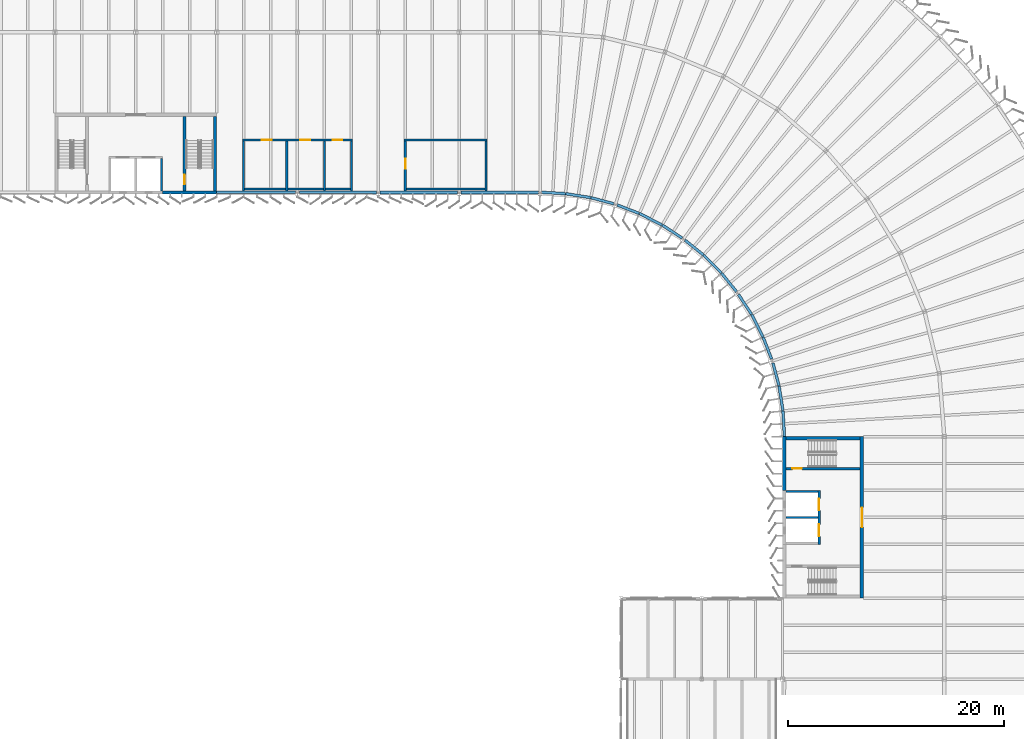
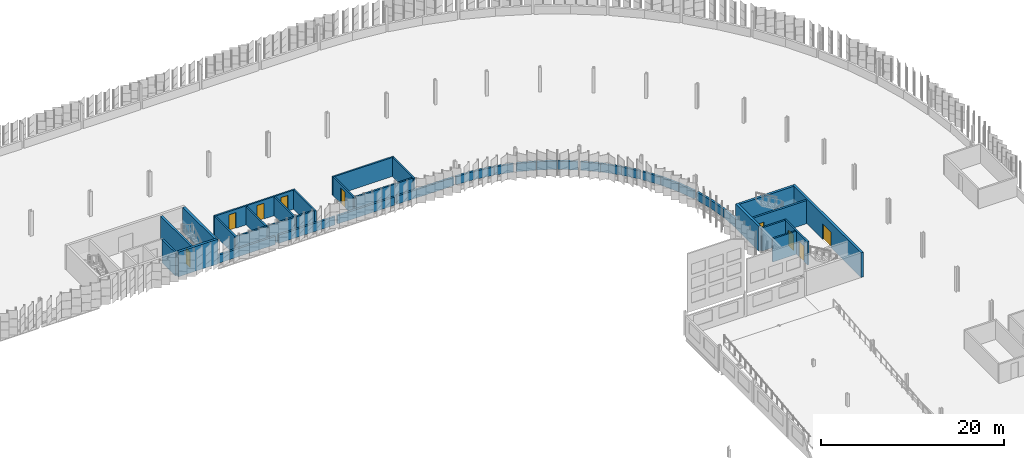
# One storey, part 63 of 199: 40 walls, 9 doors, 9 openings.
"""IFC4 building model written with IfcOpenShell, lengths in metres."""

from ifc_helpers import new_model, si_unit, direction, frame, frame_2d, origin, place, context, subcontext, project, spatial, rectangle, extrude, material, layer, layer_set, type_object, element, fill, save


model = new_model("IFC4")

# Units and contexts
model_context = context("Model", 3, precision=1e-05, world=origin(), true_north=direction((0.0, 1.0)))
body_context = subcontext(model_context, "Body", "Model", "MODEL_VIEW")
ifc_project = project(units=[si_unit("LENGTHUNIT", "METRE"), si_unit("AREAUNIT", "SQUARE_METRE"), si_unit("VOLUMEUNIT", "CUBIC_METRE"), si_unit("PLANEANGLEUNIT", "RADIAN"), si_unit("MASSUNIT", "GRAM", prefix="KILO")], contexts=[model_context])

# Site, building, storey
site_placement = place(None, origin())
site = spatial("IfcSite", under=ifc_project, at=site_placement, CompositionType="ELEMENT")
building_placement = place(site_placement, origin())
building = spatial("IfcBuilding", under=site, at=building_placement, Name="Parallax Yard Mobility Hub", CompositionType="ELEMENT")
storey_placement = place(building_placement, frame((0.0, 0.0, 9.89990234375)))
storey = spatial("IfcBuildingStorey", under=building, at=storey_placement, Name="L03", CompositionType="ELEMENT", Elevation=9.89990234375)

# Walls
ifc_material_1 = material(Name="Concrete fc' 35 MPa", Category="concrete")
ifc_layer_1 = layer(ifc_material_1, 0.300048828125)
ifc_layer_set_1 = layer_set([ifc_layer_1], Name="Concrete fc' 35 MPa core wall 300")
wall_type_1 = type_object("IfcWallType", Name="Concrete fc' 35 MPa core wall 300", PredefinedType="SHEAR", material=ifc_layer_set_1)
wall_1_placement = place(storey_placement, frame((142.5, 112.64990234375, 0.0), z_axis=(0.0, 0.0, 1.0), x_axis=(-1.0, 0.0, 0.0)))
element("IfcWall", 1, at=wall_1_placement, inside=storey, type_object=wall_type_1, Name="Core C-N2 back wall part 1 level L03", PredefinedType="SHEAR", context=body_context, shape_type="SweptSolid", body=[
    extrude(rectangle(XDim=5.0, YDim=0.300048828125, at=frame_2d((2.5, 0.0))), origin(), (0.0, 0.0, 1.0), 3.300048828125),
])
wall_2_placement = place(storey_placement, frame((142.35009765625, 119.699951171875, 0.0), z_axis=(0.0, 0.0, 1.0), x_axis=(0.0, -1.0, 0.0)))
element("IfcWall", 2, at=wall_2_placement, inside=storey, type_object=wall_type_1, Name="Core C-N2 west-side end wall level L03", PredefinedType="SHEAR", context=body_context, shape_type="SweptSolid", body=[
    extrude(rectangle(XDim=6.89990234375, YDim=0.300048828125, at=frame_2d((3.449951171875, 0.0))), origin(), (0.0, 0.0, 1.0), 3.300048828125),
])

# Wall, opening, door
wall_3_placement = place(storey_placement, frame((202.35009765625, 90.0, 0.0), z_axis=(0.0, 0.0, 1.0), x_axis=(0.0, -1.0, 0.0)))
wall_3 = element("IfcWall", 3, at=wall_3_placement, inside=storey, type_object=wall_type_1, Name="Core C-E entry wall level L03", PredefinedType="SHEAR", context=body_context, shape_type="SweptSolid", body=[
    extrude(rectangle(XDim=15.0, YDim=0.300048828125, at=frame_2d((7.5, 0.0))), origin(), (0.0, 0.0, 1.0), 3.300048828125),
])
opening_1_placement = place(wall_3_placement, frame((6.60009765625, 0.0, 0.0)))
opening_1 = element("IfcOpeningElement", 4, at=opening_1_placement, cuts=wall_3, Name="Opening L03-D719", PredefinedType="OPENING", context=body_context, shape_type="SweptSolid", body=[
    extrude(rectangle(XDim=1.800048828125, YDim=2.10009765625, at=frame_2d((0.89990234375, 1.050048828125))), frame((0.0, 0.16015625, 0.0), z_axis=(0.0, -1.0, 0.0), x_axis=(1.0, 0.0, 0.0)), (0.0, 0.0, 1.0), 0.320068359375),
])
ifc_material_2 = material(Name="Hollow metal steel door and frame", Category="steel")
door_type_1 = type_object("IfcDoorType", Name="Core double door 1800 x 2100 FD90", OperationType="NOTDEFINED", PredefinedType="DOOR", material=ifc_material_2)
door_1_placement = place(opening_1_placement, origin())
door_1 = element("IfcDoor", 5, at=door_1_placement, inside=storey, type_object=door_type_1, Name="Lift lobby door L03-D719, core C-E level L03", OperationType="DOUBLE_DOOR_SINGLE_SWING", OverallHeight=2.10009765625, OverallWidth=1.800048828125, PredefinedType="DOOR", context=body_context, shape_type="SweptSolid", body=[
    extrude(rectangle(XDim=1.800048828125, YDim=2.10009765625, at=frame_2d((0.89990234375, 1.050048828125))), frame((0.0, 0.02490234375, 0.0), z_axis=(0.0, -1.0, 0.0), x_axis=(1.0, 0.0, 0.0)), (0.0, 0.0, 1.0), 0.050048828125),
])
fill(opening_1, door_1)

# Walls
wall_4_placement = place(storey_placement, frame((195.14990234375, 85.0, 0.0), z_axis=(0.0, 0.0, 1.0), x_axis=(0.0, 1.0, 0.0)))
element("IfcWall", 6, at=wall_4_placement, inside=storey, type_object=wall_type_1, Name="Core C-E back wall part 3 level L03", PredefinedType="SHEAR", context=body_context, shape_type="SweptSolid", body=[
    extrude(rectangle(XDim=5.0, YDim=0.300048828125, at=frame_2d((2.5, 0.0))), origin(), (0.0, 0.0, 1.0), 3.300048828125),
])
wall_5_placement = place(storey_placement, frame((202.199951171875, 89.85009765625, 0.0), z_axis=(0.0, 0.0, 1.0), x_axis=(-1.0, 0.0, 0.0)))
element("IfcWall", 7, at=wall_5_placement, inside=storey, type_object=wall_type_1, Name="Core C-E east-side end wall level L03", PredefinedType="SHEAR", context=body_context, shape_type="SweptSolid", body=[
    extrude(rectangle(XDim=6.89990234375, YDim=0.300048828125, at=frame_2d((3.449951171875, 0.0))), origin(), (0.0, 0.0, 1.0), 3.300048828125),
])
ifc_layer_2 = layer(ifc_material_1, 0.199951171875)
ifc_layer_set_2 = layer_set([ifc_layer_2], Name="Concrete fc' 35 MPa internal core wall 200")
wall_type_2 = type_object("IfcWallType", Name="Concrete fc' 35 MPa internal core wall 200", PredefinedType="STANDARD", material=ifc_layer_set_2)
wall_6_placement = place(storey_placement, frame((137.39990234375, 115.800048828125, 0.0), z_axis=(0.0, 0.0, 1.0), x_axis=(0.0, -1.0, 0.0)))
element("IfcWall", 8, at=wall_6_placement, inside=storey, type_object=wall_type_2, Name="Core C-N2 lift wall 1 part 1 level L03", PredefinedType="STANDARD", context=body_context, shape_type="SweptSolid", body=[
    extrude(rectangle(XDim=3.0, YDim=0.199951171875, at=frame_2d((1.5, 0.0))), origin(), (0.0, 0.0, 1.0), 3.10009765625),
])

# Wall, openings, doors
wall_7_placement = place(storey_placement, frame((198.39990234375, 80.0, 0.0), z_axis=(0.0, 0.0, 1.0), x_axis=(0.0, 1.0, 0.0)))
wall_7 = element("IfcWall", 9, at=wall_7_placement, inside=storey, type_object=wall_type_2, Name="Core C-E lift front 2 part 2 level L03", PredefinedType="STANDARD", context=body_context, shape_type="SweptSolid", body=[
    extrude(rectangle(XDim=5.0, YDim=0.199951171875, at=frame_2d((2.5, 0.0))), origin(), (0.0, 0.0, 1.0), 3.10009765625),
])
opening_2_placement = place(wall_7_placement, frame((0.75, 0.0, 0.0)))
opening_2 = element("IfcOpeningElement", 10, at=opening_2_placement, cuts=wall_7, Name="Opening L03-D722", PredefinedType="OPENING", context=body_context, shape_type="SweptSolid", body=[
    extrude(rectangle(XDim=1.10009765625, YDim=2.10009765625, at=frame_2d((0.550048828125, 1.050048828125))), frame((0.0, 0.10986328125, 0.0), z_axis=(0.0, -1.0, 0.0), x_axis=(1.0, 0.0, 0.0)), (0.0, 0.0, 1.0), 0.219970703125),
])
opening_3_placement = place(wall_7_placement, frame((3.14990234375, 0.0, 0.0)))
opening_3 = element("IfcOpeningElement", 11, at=opening_3_placement, cuts=wall_7, Name="Opening L03-D723", PredefinedType="OPENING", context=body_context, shape_type="SweptSolid", body=[
    extrude(rectangle(XDim=1.10009765625, YDim=2.10009765625, at=frame_2d((0.550048828125, 1.050048828125))), frame((0.0, 0.10986328125, 0.0), z_axis=(0.0, -1.0, 0.0), x_axis=(1.0, 0.0, 0.0)), (0.0, 0.0, 1.0), 0.219970703125),
])
ifc_material_3 = material(Name="Stainless steel sliding door and frame", Category="steel")
door_type_2 = type_object("IfcDoorType", Name="Lift landing door 1100 x 2100 FD90", OperationType="DOUBLE_DOOR_SLIDING", PredefinedType="DOOR", material=ifc_material_3)
door_2_placement = place(opening_2_placement, origin())
door_2 = element("IfcDoor", 12, at=door_2_placement, inside=storey, type_object=door_type_2, Name="Lift landing door L03-D722, core C-E level L03", OperationType="DOUBLE_DOOR_SLIDING", OverallHeight=2.10009765625, OverallWidth=1.10009765625, PredefinedType="DOOR", context=body_context, shape_type="SweptSolid", body=[
    extrude(rectangle(XDim=1.10009765625, YDim=2.10009765625, at=frame_2d((0.550048828125, 1.050048828125))), frame((0.0, 0.02490234375, 0.0), z_axis=(0.0, -1.0, 0.0), x_axis=(1.0, 0.0, 0.0)), (0.0, 0.0, 1.0), 0.050048828125),
])
fill(opening_2, door_2)
door_3_placement = place(opening_3_placement, origin())
door_3 = element("IfcDoor", 13, at=door_3_placement, inside=storey, type_object=door_type_2, Name="Lift landing door L03-D723, core C-E level L03", OperationType="DOUBLE_DOOR_SLIDING", OverallHeight=2.10009765625, OverallWidth=1.10009765625, PredefinedType="DOOR", context=body_context, shape_type="SweptSolid", body=[
    extrude(rectangle(XDim=1.10009765625, YDim=2.10009765625, at=frame_2d((0.550048828125, 1.050048828125))), frame((0.0, 0.02490234375, 0.0), z_axis=(0.0, -1.0, 0.0), x_axis=(1.0, 0.0, 0.0)), (0.0, 0.0, 1.0), 0.050048828125),
])
fill(opening_3, door_3)

# Walls
for number, where, z_axis, x_axis, name in (
    (14, (198.300048828125, 82.5, 0.0), (0.0, 0.0, 1.0), (-1.0, 0.0, 0.0), "Core C-E lift wall 2 part 2 level L03"),
    (15, (198.300048828125, 84.89990234375, 0.0), (0.0, 0.0, 1.0), (-1.0, 0.0, 0.0), "Core C-E lift wall 3 part 3 level L03"),
):
    element("IfcWall", number, at=place(storey_placement, frame(where, z_axis=z_axis, x_axis=x_axis)), inside=storey, type_object=wall_type_2, Name=name, PredefinedType="STANDARD", context=body_context, shape_type="SweptSolid", body=[
        extrude(rectangle(XDim=3.0, YDim=0.199951171875, at=frame_2d((1.5, 0.0))), origin(), (0.0, 0.0, 1.0), 3.10009765625),
    ])

# Wall, opening, door
ifc_layer_3 = layer(ifc_material_1, 0.25)
ifc_layer_set_3 = layer_set([ifc_layer_3], Name="Concrete fc' 35 MPa stair enclosure wall 250")
wall_type_3 = type_object("IfcWallType", Name="Concrete fc' 35 MPa stair enclosure wall 250", PredefinedType="STANDARD", material=ifc_layer_set_3)
wall_8_placement = place(storey_placement, frame((139.52490234375, 119.699951171875, 0.0), z_axis=(0.0, 0.0, 1.0), x_axis=(0.0, -1.0, 0.0)))
wall_8 = element("IfcWall", 16, at=wall_8_placement, inside=storey, type_object=wall_type_3, Name="Core C-N2 stair 1 partition level L03", PredefinedType="STANDARD", context=body_context, shape_type="SweptSolid", body=[
    extrude(rectangle(XDim=6.89990234375, YDim=0.25, at=frame_2d((3.449951171875, 0.0))), origin(), (0.0, 0.0, 1.0), 3.10009765625),
])
opening_4_placement = place(wall_8_placement, frame((5.39990234375, 0.0, 0.0)))
opening_4 = element("IfcOpeningElement", 17, at=opening_4_placement, cuts=wall_8, Name="Opening L03-D715", PredefinedType="OPENING", context=body_context, shape_type="SweptSolid", body=[
    extrude(rectangle(XDim=0.89990234375, YDim=2.10009765625, at=frame_2d((0.449951171875, 1.050048828125))), frame((0.0, 0.135009765625, 0.0), z_axis=(0.0, -1.0, 0.0), x_axis=(1.0, 0.0, 0.0)), (0.0, 0.0, 1.0), 0.27001953125),
])
door_type_3 = type_object("IfcDoorType", Name="Core door 900 x 2100 FD90", OperationType="NOTDEFINED", PredefinedType="DOOR", material=ifc_material_2)
door_4_placement = place(opening_4_placement, origin())
door_4 = element("IfcDoor", 18, at=door_4_placement, inside=storey, type_object=door_type_3, Name="Stair lobby door L03-D715, core C-N2 level L03", OperationType="SINGLE_SWING_LEFT", OverallHeight=2.10009765625, OverallWidth=0.89990234375, PredefinedType="DOOR", context=body_context, shape_type="SweptSolid", body=[
    extrude(rectangle(XDim=0.89990234375, YDim=2.10009765625, at=frame_2d((0.449951171875, 1.050048828125))), frame((0.0, 0.02490234375, 0.0), z_axis=(0.0, -1.0, 0.0), x_axis=(1.0, 0.0, 0.0)), (0.0, 0.0, 1.0), 0.050048828125),
])
fill(opening_4, door_4)

wall_9_placement = place(storey_placement, frame((195.300048828125, 87.02490234375, 0.0), z_axis=(0.0, 0.0, 1.0), x_axis=(1.0, 0.0, 0.0)))
wall_9 = element("IfcWall", 19, at=wall_9_placement, inside=storey, type_object=wall_type_3, Name="Core C-E stair 2 partition level L03", PredefinedType="STANDARD", context=body_context, shape_type="SweptSolid", body=[
    extrude(rectangle(XDim=6.89990234375, YDim=0.25, at=frame_2d((3.449951171875, 0.0))), origin(), (0.0, 0.0, 1.0), 3.10009765625),
])
opening_5_placement = place(wall_9_placement, frame((0.60009765625, 0.0, 0.0)))
opening_5 = element("IfcOpeningElement", 20, at=opening_5_placement, cuts=wall_9, Name="Opening L03-D721", PredefinedType="OPENING", context=body_context, shape_type="SweptSolid", body=[
    extrude(rectangle(XDim=0.89990234375, YDim=2.10009765625, at=frame_2d((0.449951171875, 1.050048828125))), frame((0.0, 0.135009765625, 0.0), z_axis=(0.0, -1.0, 0.0), x_axis=(1.0, 0.0, 0.0)), (0.0, 0.0, 1.0), 0.27001953125),
])
door_5_placement = place(opening_5_placement, origin())
door_5 = element("IfcDoor", 21, at=door_5_placement, inside=storey, type_object=door_type_3, Name="Stair lobby door L03-D721, core C-E level L03", OperationType="SINGLE_SWING_RIGHT", OverallHeight=2.10009765625, OverallWidth=0.89990234375, PredefinedType="DOOR", context=body_context, shape_type="SweptSolid", body=[
    extrude(rectangle(XDim=0.89990234375, YDim=2.10009765625, at=frame_2d((0.449951171875, 1.050048828125))), frame((0.0, 0.02490234375, 0.0), z_axis=(0.0, -1.0, 0.0), x_axis=(1.0, 0.0, 0.0)), (0.0, 0.0, 1.0), 0.050048828125),
])
fill(opening_5, door_5)

# Walls
ifc_layer_4 = layer(ifc_material_1, 0.25)
ifc_layer_set_4 = layer_set([ifc_layer_4], Name="Deck-edge barrier wall, Concrete fc' 35 MPa precast, 250")
wall_type_4 = type_object("IfcWallType", Name="Deck-edge barrier wall, Concrete fc' 35 MPa precast, 250", PredefinedType="SOLIDWALL", material=ifc_layer_set_4)
wall_10_placement = place(storey_placement, frame((142.5048828125, 112.672119140625, 0.0), z_axis=(0.0, 0.0, 1.0), x_axis=(1.0, 0.0, 0.0)))
element("IfcWall", 22, at=wall_10_placement, inside=storey, type_object=wall_type_4, Name="Deck-edge barrier wall bay 14 level L03", PredefinedType="SOLIDWALL", context=body_context, shape_type="SweptSolid", body=[
    extrude(rectangle(XDim=7.3095703125, YDim=0.25, at=frame_2d((3.65478515625, 0.0))), origin(), (0.0, 0.0, 1.0), 1.10009765625),
])
wall_11_placement = place(storey_placement, frame((150.185546875, 112.672119140625, 0.0), z_axis=(0.0, 0.0, 1.0), x_axis=(0.999993224794, -0.003681082119, 0.0)))
element("IfcWall", 23, at=wall_11_placement, inside=storey, type_object=wall_type_4, Name="Deck-edge barrier wall bay 15 level L03", PredefinedType="SOLIDWALL", context=body_context, shape_type="SweptSolid", body=[
    extrude(rectangle(XDim=7.162841796875, YDim=0.25, at=frame_2d((3.58154296875, 0.0))), origin(), (0.0, 0.0, 1.0), 1.10009765625),
])
for number, where, z_axis, x_axis, name in (
    (24, (157.651611328125, 112.645751953125, 0.0), (0.0, 0.0, 1.0), (1.0, 0.0, 0.0), "Deck-edge barrier wall bay 16 level L03"),
    (25, (165.151611328125, 112.645751953125, 0.0), (0.0, 0.0, 1.0), (1.0, 0.0, 0.0), "Deck-edge barrier wall bay 17 level L03"),
):
    element("IfcWall", number, at=place(storey_placement, frame(where, z_axis=z_axis, x_axis=x_axis)), inside=storey, type_object=wall_type_4, Name=name, PredefinedType="SOLIDWALL", context=body_context, shape_type="SweptSolid", body=[
        extrude(rectangle(XDim=7.19677734375, YDim=0.25, at=frame_2d((3.598388671875, 0.0))), origin(), (0.0, 0.0, 1.0), 1.10009765625),
    ])
wall_12_placement = place(storey_placement, frame((172.656005859375, 112.65478515625, 0.0), z_axis=(0.0, 0.0, 1.0), x_axis=(0.998364643885, -0.057166754681, 0.0)))
element("IfcWall", 26, at=wall_12_placement, inside=storey, type_object=wall_type_4, Name="Deck-edge barrier wall bay 18-1 level L03", PredefinedType="SOLIDWALL", context=body_context, shape_type="SweptSolid", body=[
    extrude(rectangle(XDim=2.199462890625, YDim=0.25, at=frame_2d((1.099609375, 0.0))), origin(), (0.0, 0.0, 1.0), 1.10009765625),
])
wall_13_placement = place(storey_placement, frame((174.884033203125, 112.525390625, 0.0), z_axis=(0.0, 0.0, 1.0), x_axis=(0.987958694972, -0.154717862668, 0.0)))
element("IfcWall", 27, at=wall_13_placement, inside=storey, type_object=wall_type_4, Name="Deck-edge barrier wall bay 18-2 level L03", PredefinedType="SOLIDWALL", context=body_context, shape_type="SweptSolid", body=[
    extrude(rectangle(XDim=2.3369140625, YDim=0.25, at=frame_2d((1.16845703125, 0.0))), origin(), (0.0, 0.0, 1.0), 1.10009765625),
])
wall_14_placement = place(storey_placement, frame((177.226806640625, 112.156494140625, 0.0), z_axis=(0.0, 0.0, 1.0), x_axis=(0.965933668704, -0.258789775039, 0.0)))
element("IfcWall", 28, at=wall_14_placement, inside=storey, type_object=wall_type_4, Name="Deck-edge barrier wall bay 18-3 level L03", PredefinedType="SOLIDWALL", context=body_context, shape_type="SweptSolid", body=[
    extrude(rectangle(XDim=2.197265625, YDim=0.25, at=frame_2d((1.0986328125, 0.0))), origin(), (0.0, 0.0, 1.0), 1.10009765625),
])
wall_15_placement = place(storey_placement, frame((179.651611328125, 111.48388671875, 0.0), z_axis=(0.0, 0.0, 1.0), x_axis=(0.933015016795, -0.359837433343, 0.0)))
element("IfcWall", 29, at=wall_15_placement, inside=storey, type_object=wall_type_4, Name="Deck-edge barrier wall bay 19-1 level L03", PredefinedType="SOLIDWALL", context=body_context, shape_type="SweptSolid", body=[
    extrude(rectangle(XDim=2.19140625, YDim=0.25, at=frame_2d((1.095703125, 0.0))), origin(), (0.0, 0.0, 1.0), 1.10009765625),
])
wall_16_placement = place(storey_placement, frame((181.725341796875, 110.682373046875, 0.0), z_axis=(0.0, 0.0, 1.0), x_axis=(0.89321234847, -0.449635074856, 0.0)))
element("IfcWall", 30, at=wall_16_placement, inside=storey, type_object=wall_type_4, Name="Deck-edge barrier wall bay 19-2 level L03", PredefinedType="SOLIDWALL", context=body_context, shape_type="SweptSolid", body=[
    extrude(rectangle(XDim=2.33740234375, YDim=0.25, at=frame_2d((1.168701171875, 0.0))), origin(), (0.0, 0.0, 1.0), 1.10009765625),
])
wall_17_placement = place(storey_placement, frame((183.844970703125, 109.61328125, 0.0), z_axis=(0.0, 0.0, 1.0), x_axis=(0.835931493831, -0.548833797813, 0.0)))
element("IfcWall", 31, at=wall_17_placement, inside=storey, type_object=wall_type_4, Name="Deck-edge barrier wall bay 19-3 level L03", PredefinedType="SOLIDWALL", context=body_context, shape_type="SweptSolid", body=[
    extrude(rectangle(XDim=2.19482421875, YDim=0.25, at=frame_2d((1.097412109375, 0.0))), origin(), (0.0, 0.0, 1.0), 1.10009765625),
])
wall_18_placement = place(storey_placement, frame((185.939697265625, 108.22509765625, 0.0), z_axis=(0.0, 0.0, 1.0), x_axis=(0.7781901536, -0.628028729311, 0.0)))
element("IfcWall", 32, at=wall_18_placement, inside=storey, type_object=wall_type_4, Name="Deck-edge barrier wall bay 20-1 level L03", PredefinedType="SOLIDWALL", context=body_context, shape_type="SweptSolid", body=[
    extrude(rectangle(XDim=2.193359375, YDim=0.25, at=frame_2d((1.0966796875, 0.0))), origin(), (0.0, 0.0, 1.0), 1.10009765625),
])
wall_19_placement = place(storey_placement, frame((187.672119140625, 106.824462890625, 0.0), z_axis=(0.0, 0.0, 1.0), x_axis=(0.707106781187, -0.707106781187, 0.0)))
element("IfcWall", 33, at=wall_19_placement, inside=storey, type_object=wall_type_4, Name="Deck-edge barrier wall bay 20-2 level L03", PredefinedType="SOLIDWALL", context=body_context, shape_type="SweptSolid", body=[
    extrude(rectangle(XDim=2.337158203125, YDim=0.25, at=frame_2d((1.16845703125, 0.0))), origin(), (0.0, 0.0, 1.0), 1.10009765625),
])
wall_20_placement = place(storey_placement, frame((189.347900390625, 105.14599609375, 0.0), z_axis=(0.0, 0.0, 1.0), x_axis=(0.628070132688, -0.778156737698, 0.0)))
element("IfcWall", 34, at=wall_20_placement, inside=storey, type_object=wall_type_4, Name="Deck-edge barrier wall bay 20-3 level L03", PredefinedType="SOLIDWALL", context=body_context, shape_type="SweptSolid", body=[
    extrude(rectangle(XDim=2.192626953125, YDim=0.25, at=frame_2d((1.09619140625, 0.0))), origin(), (0.0, 0.0, 1.0), 1.10009765625),
])
wall_21_placement = place(storey_placement, frame((190.90869140625, 103.1796875, 0.0), z_axis=(0.0, 0.0, 1.0), x_axis=(0.550508982107, -0.834829240395, 0.0)))
element("IfcWall", 35, at=wall_21_placement, inside=storey, type_object=wall_type_4, Name="Deck-edge barrier wall bay 21-1 level L03", PredefinedType="SOLIDWALL", context=body_context, shape_type="SweptSolid", body=[
    extrude(rectangle(XDim=2.19482421875, YDim=0.25, at=frame_2d((1.097412109375, 0.0))), origin(), (0.0, 0.0, 1.0), 1.10009765625),
])
wall_22_placement = place(storey_placement, frame((192.135498046875, 101.315185546875, 0.0), z_axis=(0.0, 0.0, 1.0), x_axis=(0.451262005385, -0.892391507409, 0.0)))
element("IfcWall", 36, at=wall_22_placement, inside=storey, type_object=wall_type_4, Name="Deck-edge barrier wall bay 21-2 level L03", PredefinedType="SOLIDWALL", context=body_context, shape_type="SweptSolid", body=[
    extrude(rectangle(XDim=2.337158203125, YDim=0.25, at=frame_2d((1.16845703125, 0.0))), origin(), (0.0, 0.0, 1.0), 1.10009765625),
])
wall_23_placement = place(storey_placement, frame((193.20361328125, 99.19970703125, 0.0), z_axis=(0.0, 0.0, 1.0), x_axis=(0.361730647977, -0.932282649369, 0.0)))
element("IfcWall", 37, at=wall_23_placement, inside=storey, type_object=wall_type_4, Name="Deck-edge barrier wall bay 21-3 level L03", PredefinedType="SOLIDWALL", context=body_context, shape_type="SweptSolid", body=[
    extrude(rectangle(XDim=2.156982421875, YDim=0.25, at=frame_2d((1.07861328125, 0.0))), origin(), (0.0, 0.0, 1.0), 1.10009765625),
])
wall_24_placement = place(storey_placement, frame((194.104736328125, 96.819091796875, 0.0), z_axis=(0.0, 0.0, 1.0), x_axis=(0.258843338432, -0.965919316584, 0.0)))
element("IfcWall", 38, at=wall_24_placement, inside=storey, type_object=wall_type_4, Name="Deck-edge barrier wall bay 22-1 level L03", PredefinedType="SOLIDWALL", context=body_context, shape_type="SweptSolid", body=[
    extrude(rectangle(XDim=2.161865234375, YDim=0.25, at=frame_2d((1.0810546875, 0.0))), origin(), (0.0, 0.0, 1.0), 1.10009765625),
])
wall_25_placement = place(storey_placement, frame((194.671630859375, 94.696044921875, 0.0), z_axis=(0.0, 0.0, 1.0), x_axis=(0.155017778241, -0.98791168048, 0.0)))
element("IfcWall", 39, at=wall_25_placement, inside=storey, type_object=wall_type_4, Name="Deck-edge barrier wall bay 22-2 level L03", PredefinedType="SOLIDWALL", context=body_context, shape_type="SweptSolid", body=[
    extrude(rectangle(XDim=2.335693359375, YDim=0.25, at=frame_2d((1.16796875, 0.0))), origin(), (0.0, 0.0, 1.0), 1.10009765625),
])
wall_26_placement = place(storey_placement, frame((195.037109375, 92.355712890625, 0.0), z_axis=(0.0, 0.0, 1.0), x_axis=(0.057361082086, -0.998353497646, 0.0)))
element("IfcWall", 40, at=wall_26_placement, inside=storey, type_object=wall_type_4, Name="Deck-edge barrier wall bay 22-3 level L03", PredefinedType="SOLIDWALL", context=body_context, shape_type="SweptSolid", body=[
    extrude(rectangle(XDim=2.34521484375, YDim=0.25, at=frame_2d((1.172607421875, 0.0))), origin(), (0.0, 0.0, 1.0), 1.10009765625),
])
ifc_material_4 = material(Name="Fire-rated plasterboard partition, two layers each side")
ifc_layer_5 = layer(ifc_material_4, 0.199951171875)
ifc_layer_set_5 = layer_set([ifc_layer_5], Name="Fire-rated partition 200 mm")
wall_type_5 = type_object("IfcWallType", Name="Fire-rated partition 200 mm", PredefinedType="PARTITIONING", material=ifc_layer_set_5)
wall_27_placement = place(storey_placement, frame((144.89990234375, 112.949951171875, 0.0), z_axis=(0.0, 0.0, 1.0), x_axis=(1.0, 0.0, 0.0)))
element("IfcWall", 41, at=wall_27_placement, inside=storey, type_object=wall_type_5, Name="Partition 17 level L03", PredefinedType="PARTITIONING", context=body_context, shape_type="SweptSolid", body=[
    extrude(rectangle(XDim=10.2001953125, YDim=0.199951171875, at=frame_2d((5.10009765625, 0.0))), origin(), (0.0, 0.0, 1.0), 2.548095703125),
])
wall_28_placement = place(storey_placement, frame((159.89990234375, 112.949951171875, 0.0), z_axis=(0.0, 0.0, 1.0), x_axis=(1.0, 0.0, 0.0)))
element("IfcWall", 42, at=wall_28_placement, inside=storey, type_object=wall_type_5, Name="Partition 18 level L03", PredefinedType="PARTITIONING", context=body_context, shape_type="SweptSolid", body=[
    extrude(rectangle(XDim=7.7001953125, YDim=0.199951171875, at=frame_2d((3.85009765625, 0.0))), origin(), (0.0, 0.0, 1.0), 2.548095703125),
])

# Wall, openings, doors
wall_29_placement = place(storey_placement, frame((144.89990234375, 117.5, 0.0), z_axis=(0.0, 0.0, 1.0), x_axis=(1.0, 0.0, 0.0)))
wall_29 = element("IfcWall", 43, at=wall_29_placement, inside=storey, type_object=wall_type_5, Name="Partition 19 level L03", PredefinedType="PARTITIONING", context=body_context, shape_type="SweptSolid", body=[
    extrude(rectangle(XDim=10.2001953125, YDim=0.199951171875, at=frame_2d((5.10009765625, 0.0))), origin(), (0.0, 0.0, 1.0), 2.548095703125),
])
opening_6_placement = place(wall_29_placement, frame((1.800048828125, 0.0, 0.0)))
opening_6 = element("IfcOpeningElement", 44, at=opening_6_placement, cuts=wall_29, Name="Opening L03-D213", PredefinedType="OPENING", context=body_context, shape_type="SweptSolid", body=[
    extrude(rectangle(XDim=0.89990234375, YDim=2.10009765625, at=frame_2d((0.449951171875, 1.050048828125))), frame((0.0, 0.10986328125, 0.0), z_axis=(0.0, -1.0, 0.0), x_axis=(1.0, 0.0, 0.0)), (0.0, 0.0, 1.0), 0.219970703125),
])
opening_7_placement = place(wall_29_placement, frame((5.375244140625, 0.0, 0.0)))
opening_7 = element("IfcOpeningElement", 45, at=opening_7_placement, cuts=wall_29, Name="Opening L03-D214", PredefinedType="OPENING", context=body_context, shape_type="SweptSolid", body=[
    extrude(rectangle(XDim=0.89990234375, YDim=2.10009765625, at=frame_2d((0.449951171875, 1.050048828125))), frame((0.0, 0.10986328125, 0.0), z_axis=(0.0, -1.0, 0.0), x_axis=(1.0, 0.0, 0.0)), (0.0, 0.0, 1.0), 0.219970703125),
])
opening_8_placement = place(wall_29_placement, frame((8.375244140625, 0.0, 0.0)))
opening_8 = element("IfcOpeningElement", 46, at=opening_8_placement, cuts=wall_29, Name="Opening L03-D215", PredefinedType="OPENING", context=body_context, shape_type="SweptSolid", body=[
    extrude(rectangle(XDim=0.89990234375, YDim=2.10009765625, at=frame_2d((0.449951171875, 1.050048828125))), frame((0.0, 0.10986328125, 0.0), z_axis=(0.0, -1.0, 0.0), x_axis=(1.0, 0.0, 0.0)), (0.0, 0.0, 1.0), 0.219970703125),
])
ifc_material_5 = material(Name="Hollow metal fire door leaf with intumescent seals")
door_type_4 = type_object("IfcDoorType", Name="Fire door 900 mm FD60", OperationType="NOTDEFINED", PredefinedType="DOOR", material=ifc_material_5)
door_6_placement = place(opening_6_placement, origin())
door_6 = element("IfcDoor", 47, at=door_6_placement, inside=storey, type_object=door_type_4, Name="Door L03-D213 Men's WC", OperationType="SINGLE_SWING_LEFT", OverallHeight=2.10009765625, OverallWidth=0.89990234375, PredefinedType="DOOR", context=body_context, shape_type="SweptSolid", body=[
    extrude(rectangle(XDim=0.89990234375, YDim=2.10009765625, at=frame_2d((0.449951171875, 1.050048828125))), frame((0.0, 0.02490234375, 0.0), z_axis=(0.0, -1.0, 0.0), x_axis=(1.0, 0.0, 0.0)), (0.0, 0.0, 1.0), 0.050048828125),
])
fill(opening_6, door_6)
door_7_placement = place(opening_7_placement, origin())
door_7 = element("IfcDoor", 48, at=door_7_placement, inside=storey, type_object=door_type_4, Name="Door L03-D214 Women's WC", OperationType="SINGLE_SWING_RIGHT", OverallHeight=2.10009765625, OverallWidth=0.89990234375, PredefinedType="DOOR", context=body_context, shape_type="SweptSolid", body=[
    extrude(rectangle(XDim=0.89990234375, YDim=2.10009765625, at=frame_2d((0.449951171875, 1.050048828125))), frame((0.0, 0.02490234375, 0.0), z_axis=(0.0, -1.0, 0.0), x_axis=(1.0, 0.0, 0.0)), (0.0, 0.0, 1.0), 0.050048828125),
])
fill(opening_7, door_7)
door_8_placement = place(opening_8_placement, origin())
door_8 = element("IfcDoor", 49, at=door_8_placement, inside=storey, type_object=door_type_4, Name="Door L03-D215 Accessible WC", OperationType="SINGLE_SWING_RIGHT", OverallHeight=2.10009765625, OverallWidth=0.89990234375, PredefinedType="DOOR", context=body_context, shape_type="SweptSolid", body=[
    extrude(rectangle(XDim=0.89990234375, YDim=2.10009765625, at=frame_2d((0.449951171875, 1.050048828125))), frame((0.0, 0.02490234375, 0.0), z_axis=(0.0, -1.0, 0.0), x_axis=(1.0, 0.0, 0.0)), (0.0, 0.0, 1.0), 0.050048828125),
])
fill(opening_8, door_8)

# Walls
wall_30_placement = place(storey_placement, frame((159.89990234375, 117.5, 0.0), z_axis=(0.0, 0.0, 1.0), x_axis=(1.0, 0.0, 0.0)))
element("IfcWall", 50, at=wall_30_placement, inside=storey, type_object=wall_type_5, Name="Partition 20 level L03", PredefinedType="PARTITIONING", context=body_context, shape_type="SweptSolid", body=[
    extrude(rectangle(XDim=7.7001953125, YDim=0.199951171875, at=frame_2d((3.85009765625, 0.0))), origin(), (0.0, 0.0, 1.0), 2.548095703125),
])
wall_31_placement = place(storey_placement, frame((145.0, 112.797119140625, 0.0), z_axis=(0.0, 0.0, 1.0), x_axis=(0.0, 1.0, 0.0)))
element("IfcWall", 51, at=wall_31_placement, inside=storey, type_object=wall_type_5, Name="Partition 36 level L03", PredefinedType="PARTITIONING", context=body_context, shape_type="SweptSolid", body=[
    extrude(rectangle(XDim=4.602783203125, YDim=0.199951171875, at=frame_2d((2.30126953125, 0.0))), origin(), (0.0, 0.0, 1.0), 2.55810546875),
])
wall_32_placement = place(storey_placement, frame((149.0, 112.797119140625, 0.0), z_axis=(0.0, 0.0, 1.0), x_axis=(0.0, 1.0, 0.0)))
element("IfcWall", 52, at=wall_32_placement, inside=storey, type_object=wall_type_5, Name="Partition 37 level L03", PredefinedType="PARTITIONING", context=body_context, shape_type="SweptSolid", body=[
    extrude(rectangle(XDim=4.602783203125, YDim=0.199951171875, at=frame_2d((2.30126953125, 0.0))), origin(), (0.0, 0.0, 1.0), 2.41015625),
])
wall_33_placement = place(storey_placement, frame((152.5, 112.78857421875, 0.0), z_axis=(0.0, 0.0, 1.0), x_axis=(0.0, 1.0, 0.0)))
element("IfcWall", 53, at=wall_33_placement, inside=storey, type_object=wall_type_5, Name="Partition 38 level L03", PredefinedType="PARTITIONING", context=body_context, shape_type="SweptSolid", body=[
    extrude(rectangle(XDim=4.611328125, YDim=0.199951171875, at=frame_2d((2.3056640625, 0.0))), origin(), (0.0, 0.0, 1.0), 2.55810546875),
])
wall_34_placement = place(storey_placement, frame((155.0, 112.779296875, 0.0), z_axis=(0.0, 0.0, 1.0), x_axis=(0.0, 1.0, 0.0)))
element("IfcWall", 54, at=wall_34_placement, inside=storey, type_object=wall_type_5, Name="Partition 39 level L03", PredefinedType="PARTITIONING", context=body_context, shape_type="SweptSolid", body=[
    extrude(rectangle(XDim=4.62060546875, YDim=0.199951171875, at=frame_2d((2.310302734375, 0.0))), origin(), (0.0, 0.0, 1.0), 2.55810546875),
])

# Wall, opening, door
wall_35_placement = place(storey_placement, frame((160.0, 112.770751953125, 0.0), z_axis=(0.0, 0.0, 1.0), x_axis=(0.0, 1.0, 0.0)))
wall_35 = element("IfcWall", 55, at=wall_35_placement, inside=storey, type_object=wall_type_5, Name="Partition 40 level L03", PredefinedType="PARTITIONING", context=body_context, shape_type="SweptSolid", body=[
    extrude(rectangle(XDim=4.629150390625, YDim=0.199951171875, at=frame_2d((2.314453125, 0.0))), origin(), (0.0, 0.0, 1.0), 2.55810546875),
])
opening_9_placement = place(wall_35_placement, frame((2.0791015625, 0.0, 0.0)))
opening_9 = element("IfcOpeningElement", 56, at=opening_9_placement, cuts=wall_35, Name="Opening L03-D212", PredefinedType="OPENING", context=body_context, shape_type="SweptSolid", body=[
    extrude(rectangle(XDim=0.89990234375, YDim=2.10009765625, at=frame_2d((0.449951171875, 1.050048828125))), frame((0.0, 0.10986328125, 0.0), z_axis=(0.0, -1.0, 0.0), x_axis=(1.0, 0.0, 0.0)), (0.0, 0.0, 1.0), 0.219970703125),
])
door_9_placement = place(opening_9_placement, origin())
door_9 = element("IfcDoor", 57, at=door_9_placement, inside=storey, type_object=door_type_4, Name="Door L03-D212 Attendant Office", OperationType="SINGLE_SWING_RIGHT", OverallHeight=2.10009765625, OverallWidth=0.89990234375, PredefinedType="DOOR", context=body_context, shape_type="SweptSolid", body=[
    extrude(rectangle(XDim=0.89990234375, YDim=2.10009765625, at=frame_2d((0.449951171875, 1.050048828125))), frame((0.0, 0.02490234375, 0.0), z_axis=(0.0, -1.0, 0.0), x_axis=(1.0, 0.0, 0.0)), (0.0, 0.0, 1.0), 0.050048828125),
])
fill(opening_9, door_9)

# Wall
wall_36_placement = place(storey_placement, frame((167.5, 112.770751953125, 0.0), z_axis=(0.0, 0.0, 1.0), x_axis=(0.0, 1.0, 0.0)))
element("IfcWall", 58, at=wall_36_placement, inside=storey, type_object=wall_type_5, Name="Partition 41 level L03", PredefinedType="PARTITIONING", context=body_context, shape_type="SweptSolid", body=[
    extrude(rectangle(XDim=4.629150390625, YDim=0.199951171875, at=frame_2d((2.314453125, 0.0))), origin(), (0.0, 0.0, 1.0), 2.55810546875),
])

save(model, "model.ifc")
